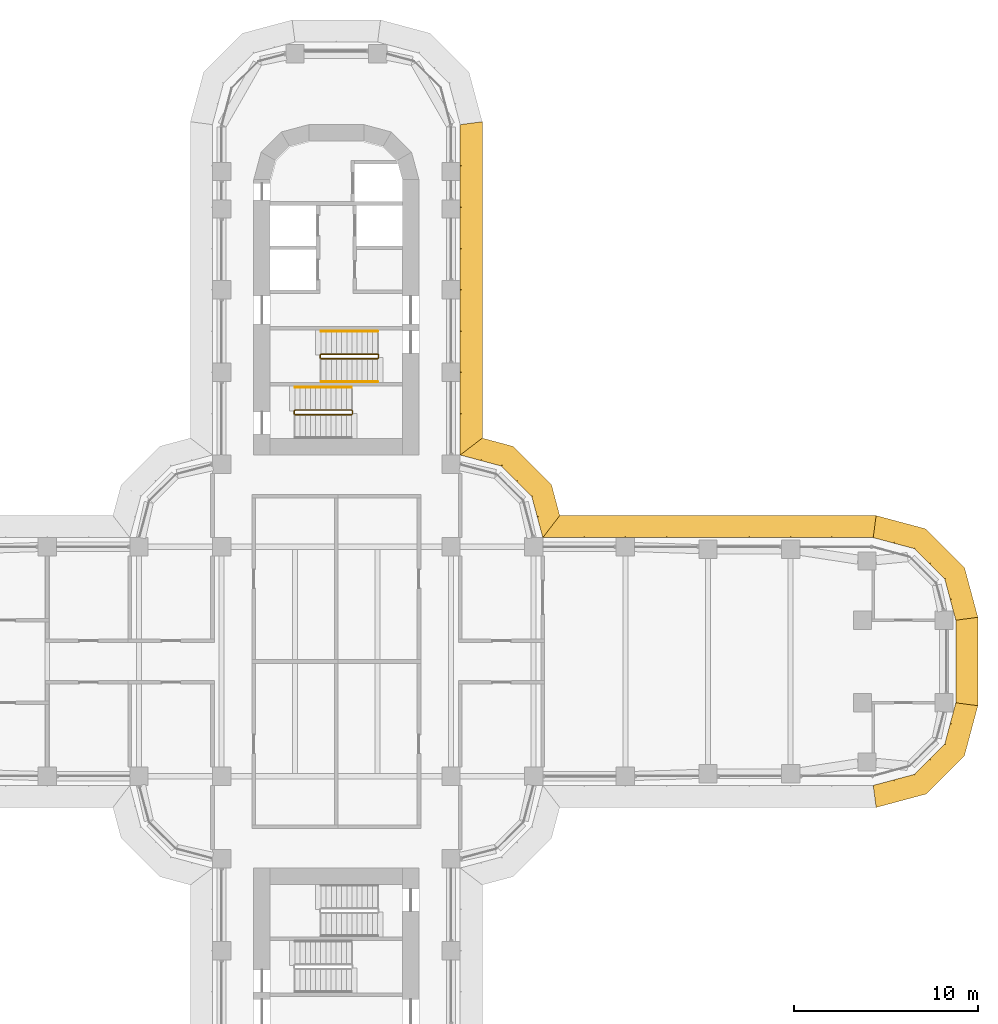
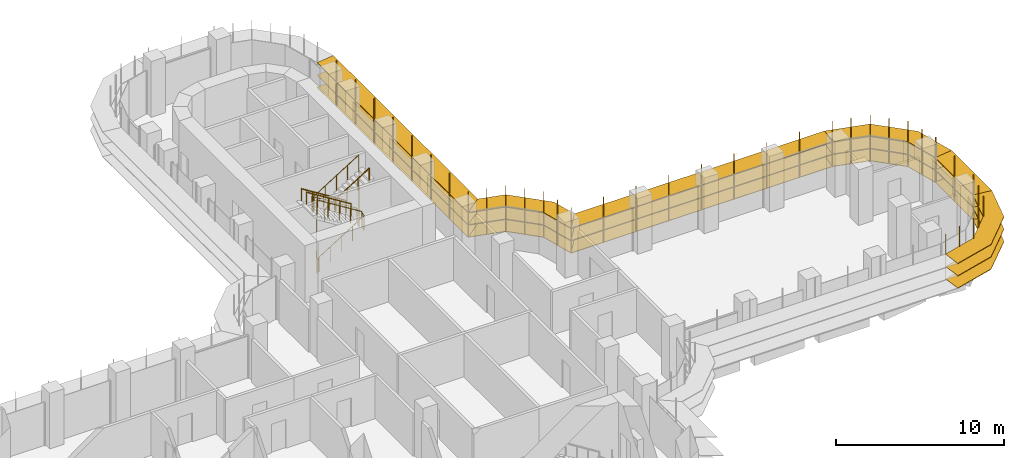
# One storey, part 22 of 23: 6 shading devices, 5 railings.
"""IFC4 building model written with IfcOpenShell, lengths in metres."""

from ifc_helpers import new_model, si_unit, direction, frame, origin, origin_2d, place, context, subcontext, project, spatial, polyline, circle, outline, extrude, faceted_brep, source, transform, mapped, material, type_object, element, save


model = new_model("IFC4")

# Units and contexts
model_context = context("Model", 3, precision=1e-05, world=origin(), true_north=direction((0.0, 1.0)))
body_context = subcontext(model_context, "Body", "Model", "MODEL_VIEW")
ifc_project = project(units=[si_unit("LENGTHUNIT", "METRE"), si_unit("AREAUNIT", "SQUARE_METRE"), si_unit("VOLUMEUNIT", "CUBIC_METRE"), si_unit("PLANEANGLEUNIT", "RADIAN"), si_unit("MASSUNIT", "GRAM", prefix="KILO")], contexts=[model_context])

# Site, building, storey
site_placement = place(None, origin())
site = spatial("IfcSite", under=ifc_project, at=site_placement, CompositionType="ELEMENT")
building_placement = place(site_placement, origin())
building = spatial("IfcBuilding", under=site, at=building_placement, Name="Zarbagh Exchange Tower", CompositionType="ELEMENT")
storey_placement = place(building_placement, frame((0.0, 0.0, 56.39990234375)))
storey = spatial("IfcBuildingStorey", under=building, at=storey_placement, Name="L12", CompositionType="ELEMENT", Elevation=56.39990234375)

# Railings
ifc_material_1 = material(Name="Stainless steel", Category="steel")
railing_type_1 = type_object("IfcRailingType", Name="Stair guard 1100 mm", PredefinedType="GUARDRAIL", material=ifc_material_1)
railing_1_placement = place(storey_placement, frame((-0.830078125, 16.5, 2.275146484375)))
element("IfcRailing", 1, at=railing_1_placement, inside=storey, type_object=railing_type_1, Name="ST1 stair guard 1", PredefinedType="GUARDRAIL", context=body_context, shape_type="SweptSolid", body=[
    extrude(circle(Radius=0.02392578125, at=origin_2d()), frame((0.0, 0.0, 1.076171875), z_axis=(0.847998304005, 0.0, 0.529998940003), x_axis=(0.0, 1.0, 0.0)), (0.0, 0.0, 1.0), 3.632080078125),
    extrude(circle(Radius=0.02392578125, at=origin_2d()), frame((3.080078125, 0.0, 3.0009765625), z_axis=(0.011914141993, 0.011914141993, -0.999858043145), x_axis=(-0.707106781187, 0.707106781187, 0.0)), (0.0, 0.0, 1.0), 4.20068359375),
    extrude(circle(Radius=0.02392578125, at=origin_2d()), frame((3.130126953125, 0.050048828125, -1.19921875), z_axis=(0.0, 1.0, 0.0), x_axis=(-1.0, 0.0, 0.0)), (0.0, 0.0, 1.0), 0.14990234375),
    extrude(circle(Radius=0.02392578125, at=origin_2d()), frame((3.130126953125, 0.199951171875, -1.19921875), z_axis=(-0.265065253269, 0.265065253269, 0.927081885822), x_axis=(-0.707106781187, -0.707106781187, 0.0)), (0.0, 0.0, 1.0), 0.188720703125),
    extrude(circle(Radius=0.02392578125, at=origin_2d()), frame((3.080078125, 0.25, -1.02392578125), z_axis=(-0.847998304005, 0.0, 0.529998940003), x_axis=(0.0, -1.0, 0.0)), (0.0, 0.0, 1.0), 3.632080078125),
    extrude(circle(Radius=0.02392578125, at=origin_2d()), frame((0.0, 0.25, 0.90087890625), z_axis=(-0.705375805398, -0.708833529934, 0.0), x_axis=(0.708833529934, -0.705375805398, 0.0)), (0.0, 0.0, 1.0), 0.070556640625),
    extrude(circle(Radius=0.02392578125, at=origin_2d()), frame((-0.0498046875, 0.199951171875, 0.90087890625), z_axis=(0.0, -1.0, 0.0), x_axis=(1.0, 0.0, 0.0)), (0.0, 0.0, 1.0), 0.14990234375),
    extrude(circle(Radius=0.02099609375, at=origin_2d()), origin(), (0.0, 0.0, 1.0), 1.052001953125),
    extrude(circle(Radius=0.02099609375, at=origin_2d()), frame((0.77001953125, 0.0, 0.481201171875)), (0.0, 0.0, 1.0), 1.052001953125),
    extrude(circle(Radius=0.02099609375, at=origin_2d()), frame((1.5400390625, 0.0, 0.96240234375)), (0.0, 0.0, 1.0), 1.052001953125),
    extrude(circle(Radius=0.02099609375, at=origin_2d()), frame((2.31005859375, 0.0, 1.44384765625)), (0.0, 0.0, 1.0), 1.052001953125),
    extrude(circle(Radius=0.02099609375, at=origin_2d()), frame((3.080078125, 0.0, 1.925048828125)), (0.0, 0.0, 1.0), 1.052001953125),
    extrude(circle(Radius=0.02099609375, at=origin_2d()), frame((3.092529296875, 0.012451171875, 0.875)), (0.0, 0.0, 1.0), 1.052001953125),
    extrude(circle(Radius=0.02099609375, at=origin_2d()), frame((3.10498046875, 0.02490234375, -0.175048828125)), (0.0, 0.0, 1.0), 1.052001953125),
    extrude(circle(Radius=0.02099609375, at=origin_2d()), frame((3.11767578125, 0.03759765625, -1.22509765625)), (0.0, 0.0, 1.0), 1.052001953125),
    extrude(circle(Radius=0.02099609375, at=origin_2d()), frame((3.130126953125, 0.050048828125, -2.275146484375)), (0.0, 0.0, 1.0), 1.052001953125),
    extrude(circle(Radius=0.02099609375, at=origin_2d()), frame((3.130126953125, 0.199951171875, -2.275146484375)), (0.0, 0.0, 1.0), 1.052001953125),
    extrude(circle(Radius=0.02099609375, at=origin_2d()), frame((3.080078125, 0.25, -2.10009765625)), (0.0, 0.0, 1.0), 1.052001953125),
    extrude(circle(Radius=0.02099609375, at=origin_2d()), frame((2.31005859375, 0.25, -1.618896484375)), (0.0, 0.0, 1.0), 1.052001953125),
    extrude(circle(Radius=0.02099609375, at=origin_2d()), frame((1.5400390625, 0.25, -1.1376953125)), (0.0, 0.0, 1.0), 1.052001953125),
    extrude(circle(Radius=0.02099609375, at=origin_2d()), frame((0.77001953125, 0.25, -0.65625)), (0.0, 0.0, 1.0), 1.052001953125),
    extrude(circle(Radius=0.02099609375, at=origin_2d()), frame((0.0, 0.25, -0.175048828125)), (0.0, 0.0, 1.0), 1.052001953125),
    extrude(circle(Radius=0.02099609375, at=origin_2d()), frame((-0.0498046875, 0.199951171875, -0.175048828125)), (0.0, 0.0, 1.0), 1.052001953125),
    extrude(circle(Radius=0.02099609375, at=origin_2d()), frame((-0.0498046875, 0.050048828125, -0.175048828125)), (0.0, 0.0, 1.0), 1.052001953125),
])
railing_2_placement = place(storey_placement, frame((0.8798828125, 13.5, 2.10009765625)))
element("IfcRailing", 2, at=railing_2_placement, inside=storey, type_object=railing_type_1, Name="ST2 stair guard 1", PredefinedType="GUARDRAIL", context=body_context, shape_type="SweptSolid", body=[
    extrude(circle(Radius=0.02392578125, at=origin_2d()), frame((0.0, 0.0, 1.076171875), z_axis=(0.0, 1.0, 0.0), x_axis=(-1.0, 0.0, 0.0)), (0.0, 0.0, 1.0), 0.14990234375),
    extrude(circle(Radius=0.02392578125, at=origin_2d()), frame((0.0, 0.14990234375, 1.076171875), z_axis=(-0.263862480399, 0.265155923931, 0.927399011991), x_axis=(-0.708833529934, -0.705375805398, 0.0)), (0.0, 0.0, 1.0), 0.188720703125),
    extrude(circle(Radius=0.02392578125, at=origin_2d()), frame((-0.0498046875, 0.199951171875, 1.2509765625), z_axis=(-0.847998304005, 0.0, 0.529998940003), x_axis=(0.0, -1.0, 0.0)), (0.0, 0.0, 1.0), 3.632080078125),
    extrude(circle(Radius=0.02392578125, at=origin_2d()), frame((-3.1298828125, 0.199951171875, 3.17626953125), z_axis=(-0.011914141993, -0.011914141993, -0.999858043145), x_axis=(0.707106781187, -0.707106781187, 0.0)), (0.0, 0.0, 1.0), 4.20068359375),
    extrude(circle(Radius=0.02392578125, at=origin_2d()), frame((-3.179931640625, 0.14990234375, -1.02392578125), z_axis=(0.0, -1.0, 0.0), x_axis=(1.0, 0.0, 0.0)), (0.0, 0.0, 1.0), 0.14990234375),
    extrude(circle(Radius=0.02392578125, at=origin_2d()), frame((-3.179931640625, 0.0, -1.02392578125), z_axis=(0.265065253269, -0.265065253269, 0.927081885822), x_axis=(0.707106781187, 0.707106781187, 0.0)), (0.0, 0.0, 1.0), 0.188720703125),
    extrude(circle(Radius=0.02392578125, at=origin_2d()), frame((-3.1298828125, -0.050048828125, -0.84912109375), z_axis=(0.847998304005, 0.0, 0.529998940003), x_axis=(0.0, 1.0, 0.0)), (0.0, 0.0, 1.0), 3.632080078125),
    extrude(circle(Radius=0.02099609375, at=origin_2d()), origin(), (0.0, 0.0, 1.0), 1.052001953125),
    extrude(circle(Radius=0.02099609375, at=origin_2d()), frame((0.0, 0.14990234375, 0.0)), (0.0, 0.0, 1.0), 1.052001953125),
    extrude(circle(Radius=0.02099609375, at=origin_2d()), frame((-0.0498046875, 0.199951171875, 0.175048828125)), (0.0, 0.0, 1.0), 1.052001953125),
    extrude(circle(Radius=0.02099609375, at=origin_2d()), frame((-0.81982421875, 0.199951171875, 0.65625)), (0.0, 0.0, 1.0), 1.052001953125),
    extrude(circle(Radius=0.02099609375, at=origin_2d()), frame((-1.58984375, 0.199951171875, 1.1376953125)), (0.0, 0.0, 1.0), 1.052001953125),
    extrude(circle(Radius=0.02099609375, at=origin_2d()), frame((-2.35986328125, 0.199951171875, 1.618896484375)), (0.0, 0.0, 1.0), 1.052001953125),
    extrude(circle(Radius=0.02099609375, at=origin_2d()), frame((-3.1298828125, 0.199951171875, 2.10009765625)), (0.0, 0.0, 1.0), 1.052001953125),
    extrude(circle(Radius=0.02099609375, at=origin_2d()), frame((-3.142333984375, 0.1875, 1.050048828125)), (0.0, 0.0, 1.0), 1.052001953125),
    extrude(circle(Radius=0.02099609375, at=origin_2d()), frame((-3.15478515625, 0.1748046875, 0.0)), (0.0, 0.0, 1.0), 1.052001953125),
    extrude(circle(Radius=0.02099609375, at=origin_2d()), frame((-3.16748046875, 0.162353515625, -1.050048828125)), (0.0, 0.0, 1.0), 1.052001953125),
    extrude(circle(Radius=0.02099609375, at=origin_2d()), frame((-3.179931640625, 0.14990234375, -2.10009765625)), (0.0, 0.0, 1.0), 1.052001953125),
    extrude(circle(Radius=0.02099609375, at=origin_2d()), frame((-3.179931640625, 0.0, -2.10009765625)), (0.0, 0.0, 1.0), 1.052001953125),
    extrude(circle(Radius=0.02099609375, at=origin_2d()), frame((-3.1298828125, -0.050048828125, -1.925048828125)), (0.0, 0.0, 1.0), 1.052001953125),
    extrude(circle(Radius=0.02099609375, at=origin_2d()), frame((-2.35986328125, -0.050048828125, -1.44384765625)), (0.0, 0.0, 1.0), 1.052001953125),
    extrude(circle(Radius=0.02099609375, at=origin_2d()), frame((-1.58984375, -0.050048828125, -0.96240234375)), (0.0, 0.0, 1.0), 1.052001953125),
    extrude(circle(Radius=0.02099609375, at=origin_2d()), frame((-0.81982421875, -0.050048828125, -0.481201171875)), (0.0, 0.0, 1.0), 1.052001953125),
    extrude(circle(Radius=0.02099609375, at=origin_2d()), frame((-0.0498046875, -0.050048828125, 0.0)), (0.0, 0.0, 1.0), 1.052001953125),
])
railing_type_2 = type_object("IfcRailingType", Name="Stair handrail 900 mm", PredefinedType="HANDRAIL", material=ifc_material_1)
railing_3_placement = place(storey_placement, frame((2.25, 18.0, 0.175048828125)))
element("IfcRailing", 3, at=railing_3_placement, inside=storey, type_object=railing_type_2, Name="ST1 stair handrail 1", PredefinedType="HANDRAIL", context=body_context, shape_type="SweptSolid", body=[
    extrude(circle(Radius=0.02392578125, at=origin_2d()), frame((0.0, 0.0, 0.8759765625), z_axis=(-0.847998304005, 0.0, 0.529998940003), x_axis=(0.0, -1.0, 0.0)), (0.0, 0.0, 1.0), 3.632080078125),
    extrude(circle(Radius=0.02099609375, at=origin_2d()), origin(), (0.0, 0.0, 1.0), 0.851806640625),
    extrude(circle(Radius=0.02099609375, at=origin_2d()), frame((-0.77001953125, 0.0, 0.481201171875)), (0.0, 0.0, 1.0), 0.851806640625),
    extrude(circle(Radius=0.02099609375, at=origin_2d()), frame((-1.5400390625, 0.0, 0.96240234375)), (0.0, 0.0, 1.0), 0.851806640625),
    extrude(circle(Radius=0.02099609375, at=origin_2d()), frame((-2.31005859375, 0.0, 1.44384765625)), (0.0, 0.0, 1.0), 0.851806640625),
    extrude(circle(Radius=0.02099609375, at=origin_2d()), frame((-3.080078125, 0.0, 1.925048828125)), (0.0, 0.0, 1.0), 0.851806640625),
])
railing_4_placement = place(storey_placement, frame((-0.830078125, 15.25, 2.275146484375)))
element("IfcRailing", 4, at=railing_4_placement, inside=storey, type_object=railing_type_2, Name="ST1 stair handrail 2", PredefinedType="HANDRAIL", context=body_context, shape_type="SweptSolid", body=[
    extrude(circle(Radius=0.02392578125, at=origin_2d()), frame((0.0, 0.0, 0.8759765625), z_axis=(0.847998304005, 0.0, 0.529998940003), x_axis=(0.0, 1.0, 0.0)), (0.0, 0.0, 1.0), 3.632080078125),
    extrude(circle(Radius=0.02099609375, at=origin_2d()), origin(), (0.0, 0.0, 1.0), 0.851806640625),
    extrude(circle(Radius=0.02099609375, at=origin_2d()), frame((0.77001953125, 0.0, 0.481201171875)), (0.0, 0.0, 1.0), 0.851806640625),
    extrude(circle(Radius=0.02099609375, at=origin_2d()), frame((1.5400390625, 0.0, 0.96240234375)), (0.0, 0.0, 1.0), 0.851806640625),
    extrude(circle(Radius=0.02099609375, at=origin_2d()), frame((2.31005859375, 0.0, 1.44384765625)), (0.0, 0.0, 1.0), 0.851806640625),
    extrude(circle(Radius=0.02099609375, at=origin_2d()), frame((3.080078125, 0.0, 1.925048828125)), (0.0, 0.0, 1.0), 0.851806640625),
])
railing_5_placement = place(storey_placement, frame((0.830078125, 14.949951171875, 2.275146484375)))
element("IfcRailing", 5, at=railing_5_placement, inside=storey, type_object=railing_type_2, Name="ST2 stair handrail 2", PredefinedType="HANDRAIL", context=body_context, shape_type="SweptSolid", body=[
    extrude(circle(Radius=0.02392578125, at=origin_2d()), frame((0.0, 0.0, 0.8759765625), z_axis=(-0.847998304005, 0.0, 0.529998940003), x_axis=(0.0, -1.0, 0.0)), (0.0, 0.0, 1.0), 3.632080078125),
    extrude(circle(Radius=0.02099609375, at=origin_2d()), origin(), (0.0, 0.0, 1.0), 0.851806640625),
    extrude(circle(Radius=0.02099609375, at=origin_2d()), frame((-0.77001953125, 0.0, 0.481201171875)), (0.0, 0.0, 1.0), 0.851806640625),
    extrude(circle(Radius=0.02099609375, at=origin_2d()), frame((-1.5400390625, 0.0, 0.96240234375)), (0.0, 0.0, 1.0), 0.851806640625),
    extrude(circle(Radius=0.02099609375, at=origin_2d()), frame((-2.31005859375, 0.0, 1.44384765625)), (0.0, 0.0, 1.0), 0.851806640625),
    extrude(circle(Radius=0.02099609375, at=origin_2d()), frame((-3.080078125, 0.0, 1.925048828125)), (0.0, 0.0, 1.0), 0.851806640625),
])

# Shading devices
ifc_material_2 = material(Name="Anodised aluminium blades and brackets", Category="aluminium")
shading_device_type = type_object("IfcShadingDeviceType", Name="SUNSHADE louvre band, 0 degree blades", PredefinedType="JALOUSIE", material=ifc_material_2)
shared_shape_1 = source(origin(), body_context, "Body", "Brep", [
    faceted_brep([(0.0, 0.0, 0.0), (0.0, 0.0, -0.0400390625), (-0.157958984375, -1.199951171875, -0.0400390625), (-0.157958984375, -1.199951171875, 0.0), (2.65087890625, -1.199951171875, 0.0), (2.65087890625, -1.199951171875, -0.0400390625), (2.329345703125, 0.0, -0.0400390625), (2.329345703125, 0.0, 0.0)], [[[0, 1, 2, 3]], [[4, 5, 6, 7]], [[0, 7, 6, 1]], [[1, 6, 5, 2]], [[2, 5, 4, 3]], [[3, 4, 7, 0]]]),
])
shared_shape_2 = source(origin(), body_context, "Body", "Brep", [
    faceted_brep([(0.0, 0.0, 0.0), (0.0, 0.0, -0.0400390625), (-0.321533203125, -1.199951171875, -0.0400390625), (-0.321533203125, -1.199951171875, 0.0), (2.65087890625, -1.199951171875, 0.0), (2.65087890625, -1.199951171875, -0.0400390625), (2.329345703125, 0.0, -0.0400390625), (2.329345703125, 0.0, 0.0)], [[[0, 1, 2, 3]], [[4, 5, 6, 7]], [[0, 7, 6, 1]], [[1, 6, 5, 2]], [[2, 5, 4, 3]], [[3, 4, 7, 0]]]),
])
shared_shape_3 = source(origin(), body_context, "Body", "Brep", [
    faceted_brep([(0.0, 0.0, 0.0), (0.0, 0.0, -0.0400390625), (-0.321533203125, -1.199951171875, -0.0400390625), (-0.321533203125, -1.199951171875, 0.0), (2.4873046875, -1.199951171875, 0.0), (2.4873046875, -1.199951171875, -0.0400390625), (2.329345703125, 0.0, -0.0400390625), (2.329345703125, 0.0, 0.0)], [[[0, 1, 2, 3]], [[4, 5, 6, 7]], [[0, 7, 6, 1]], [[1, 6, 5, 2]], [[2, 5, 4, 3]], [[3, 4, 7, 0]]]),
])
shared_shape_4 = source(origin(), body_context, "Body", "SweptSolid", [
    extrude(outline(polyline([(0.0, -0.012451171875), (0.06005859375, -0.012451171875), (0.06005859375, 0.012451171875), (0.0, 0.012451171875), (0.0, -0.012451171875)])), origin(), (0.0, 0.0, 1.0), 3.35009765625),
])
placement = place(storey_placement, origin())
element("IfcShadingDevice", 6, at=placement, inside=storey, type_object=shading_device_type, Name="SS05 sunshade band", PredefinedType="JALOUSIE", context=body_context, shape_type="MappedRepresentation", body=[
    mapped(shared_shape_1, transform((29.25, -6.75, 2.7001953125), x_axis=(0.965924289636, 0.258824779902, 0.0), y_axis=(-0.258824779902, 0.965924289636, 0.0), z_axis=(0.0, 0.0, 1.0))),
    mapped(shared_shape_1, transform((29.25, -6.75, 1.800048828125), x_axis=(0.965924289636, 0.258824779902, 0.0), y_axis=(-0.258824779902, 0.965924289636, 0.0), z_axis=(0.0, 0.0, 1.0))),
    mapped(shared_shape_1, transform((29.25, -6.75, 0.900146484375), x_axis=(0.965924289636, 0.258824779902, 0.0), y_axis=(-0.258824779902, 0.965924289636, 0.0), z_axis=(0.0, 0.0, 1.0))),
    mapped(shared_shape_2, transform((31.5, -6.147216796875, 2.7001953125), x_axis=(0.707106781187, 0.707106781187, 0.0), y_axis=(-0.707106781187, 0.707106781187, 0.0), z_axis=(0.0, 0.0, 1.0))),
    mapped(shared_shape_2, transform((31.5, -6.147216796875, 1.800048828125), x_axis=(0.707106781187, 0.707106781187, 0.0), y_axis=(-0.707106781187, 0.707106781187, 0.0), z_axis=(0.0, 0.0, 1.0))),
    mapped(shared_shape_2, transform((31.5, -6.147216796875, 0.900146484375), x_axis=(0.707106781187, 0.707106781187, 0.0), y_axis=(-0.707106781187, 0.707106781187, 0.0), z_axis=(0.0, 0.0, 1.0))),
    mapped(shared_shape_3, transform((33.147216796875, -4.5, 2.7001953125), x_axis=(0.258824779902, 0.965924289636, 0.0), y_axis=(-0.965924289636, 0.258824779902, 0.0), z_axis=(0.0, 0.0, 1.0))),
    mapped(shared_shape_3, transform((33.147216796875, -4.5, 1.800048828125), x_axis=(0.258824779902, 0.965924289636, 0.0), y_axis=(-0.965924289636, 0.258824779902, 0.0), z_axis=(0.0, 0.0, 1.0))),
    mapped(shared_shape_3, transform((33.147216796875, -4.5, 0.900146484375), x_axis=(0.258824779902, 0.965924289636, 0.0), y_axis=(-0.965924289636, 0.258824779902, 0.0), z_axis=(0.0, 0.0, 1.0))),
    mapped(shared_shape_4, transform((29.25, -6.75, 0.830078125), x_axis=(0.130529263012, -0.991444457092, 0.0), y_axis=(0.991444457092, 0.130529263012, 0.0), z_axis=(0.0, 0.0, 1.0))),
    mapped(shared_shape_4, transform((30.375, -6.448486328125, 0.830078125), x_axis=(0.258825058029, -0.96592421511, 0.0), y_axis=(0.96592421511, 0.258825058029, 0.0), z_axis=(0.0, 0.0, 1.0))),
    mapped(shared_shape_4, transform((31.5, -6.147216796875, 0.830078125), x_axis=(0.50000275701, -0.866023812018, 0.0), y_axis=(0.866023812018, 0.50000275701, 0.0), z_axis=(0.0, 0.0, 1.0))),
    mapped(shared_shape_4, transform((32.323486328125, -5.323486328125, 0.830078125), x_axis=(0.707106781187, -0.707106781187, 0.0), y_axis=(0.707106781187, 0.707106781187, 0.0), z_axis=(0.0, 0.0, 1.0))),
    mapped(shared_shape_4, transform((33.147216796875, -4.5, 0.830078125), x_axis=(0.866023812018, -0.50000275701, 0.0), y_axis=(0.50000275701, 0.866023812018, 0.0), z_axis=(0.0, 0.0, 1.0))),
    mapped(shared_shape_4, transform((33.448486328125, -3.375, 0.830078125), x_axis=(0.96592421511, -0.258825058029, 0.0), y_axis=(0.258825058029, 0.96592421511, 0.0), z_axis=(0.0, 0.0, 1.0))),
])
element("IfcShadingDevice", 7, at=placement, inside=storey, type_object=shading_device_type, Name="SS07 sunshade band", PredefinedType="JALOUSIE", context=body_context, shape_type="MappedRepresentation", body=[
    mapped(shared_shape_1, transform((33.75, 2.25, 2.7001953125), x_axis=(-0.258824779902, 0.965924289636, 0.0), y_axis=(-0.965924289636, -0.258824779902, 0.0), z_axis=(0.0, 0.0, 1.0))),
    mapped(shared_shape_1, transform((33.75, 2.25, 1.800048828125), x_axis=(-0.258824779902, 0.965924289636, 0.0), y_axis=(-0.965924289636, -0.258824779902, 0.0), z_axis=(0.0, 0.0, 1.0))),
    mapped(shared_shape_1, transform((33.75, 2.25, 0.900146484375), x_axis=(-0.258824779902, 0.965924289636, 0.0), y_axis=(-0.965924289636, -0.258824779902, 0.0), z_axis=(0.0, 0.0, 1.0))),
    mapped(shared_shape_2, transform((33.147216796875, 4.5, 2.7001953125), x_axis=(-0.707106781187, 0.707106781187, 0.0), y_axis=(-0.707106781187, -0.707106781187, 0.0), z_axis=(0.0, 0.0, 1.0))),
    mapped(shared_shape_2, transform((33.147216796875, 4.5, 1.800048828125), x_axis=(-0.707106781187, 0.707106781187, 0.0), y_axis=(-0.707106781187, -0.707106781187, 0.0), z_axis=(0.0, 0.0, 1.0))),
    mapped(shared_shape_2, transform((33.147216796875, 4.5, 0.900146484375), x_axis=(-0.707106781187, 0.707106781187, 0.0), y_axis=(-0.707106781187, -0.707106781187, 0.0), z_axis=(0.0, 0.0, 1.0))),
    mapped(shared_shape_3, transform((31.5, 6.147216796875, 2.7001953125), x_axis=(-0.965924289636, 0.258824779902, 0.0), y_axis=(-0.258824779902, -0.965924289636, 0.0), z_axis=(0.0, 0.0, 1.0))),
    mapped(shared_shape_3, transform((31.5, 6.147216796875, 1.800048828125), x_axis=(-0.965924289636, 0.258824779902, 0.0), y_axis=(-0.258824779902, -0.965924289636, 0.0), z_axis=(0.0, 0.0, 1.0))),
    mapped(shared_shape_3, transform((31.5, 6.147216796875, 0.900146484375), x_axis=(-0.965924289636, 0.258824779902, 0.0), y_axis=(-0.258824779902, -0.965924289636, 0.0), z_axis=(0.0, 0.0, 1.0))),
    mapped(shared_shape_4, transform((33.75, 2.25, 0.830078125), x_axis=(0.991444457092, 0.130529263012, 0.0), y_axis=(-0.130529263012, 0.991444457092, 0.0), z_axis=(0.0, 0.0, 1.0))),
    mapped(shared_shape_4, transform((33.448486328125, 3.375, 0.830078125), x_axis=(0.96592421511, 0.258825058029, 0.0), y_axis=(-0.258825058029, 0.96592421511, 0.0), z_axis=(0.0, 0.0, 1.0))),
    mapped(shared_shape_4, transform((33.147216796875, 4.5, 0.830078125), x_axis=(0.866023812018, 0.50000275701, 0.0), y_axis=(-0.50000275701, 0.866023812018, 0.0), z_axis=(0.0, 0.0, 1.0))),
    mapped(shared_shape_4, transform((32.323486328125, 5.323486328125, 0.830078125), x_axis=(0.707106781187, 0.707106781187, 0.0), y_axis=(-0.707106781187, 0.707106781187, 0.0), z_axis=(0.0, 0.0, 1.0))),
    mapped(shared_shape_4, transform((31.5, 6.147216796875, 0.830078125), x_axis=(0.50000275701, 0.866023812018, 0.0), y_axis=(-0.866023812018, 0.50000275701, 0.0), z_axis=(0.0, 0.0, 1.0))),
    mapped(shared_shape_4, transform((30.375, 6.448486328125, 0.830078125), x_axis=(0.258825058029, 0.96592421511, 0.0), y_axis=(-0.96592421511, 0.258825058029, 0.0), z_axis=(0.0, 0.0, 1.0))),
])
shared_shape_5 = source(origin(), body_context, "Body", "Brep", [
    faceted_brep([(0.0, 0.0, 0.0), (0.0, 0.0, -0.0400390625), (0.9208984375, -1.199951171875, -0.0400390625), (0.9208984375, -1.199951171875, 0.0), (2.65087890625, -1.199951171875, 0.0), (2.65087890625, -1.199951171875, -0.0400390625), (2.329345703125, 0.0, -0.0400390625), (2.329345703125, 0.0, 0.0)], [[[0, 1, 2, 3]], [[4, 5, 6, 7]], [[0, 7, 6, 1]], [[1, 6, 5, 2]], [[2, 5, 4, 3]], [[3, 4, 7, 0]]]),
])
shared_shape_6 = source(origin(), body_context, "Body", "Brep", [
    faceted_brep([(0.0, 0.0, 0.0), (0.0, 0.0, -0.0400390625), (-0.321533203125, -1.199951171875, -0.0400390625), (-0.321533203125, -1.199951171875, 0.0), (1.40869140625, -1.199951171875, 0.0), (1.40869140625, -1.199951171875, -0.0400390625), (2.329345703125, 0.0, -0.0400390625), (2.329345703125, 0.0, 0.0)], [[[0, 1, 2, 3]], [[4, 5, 6, 7]], [[0, 7, 6, 1]], [[1, 6, 5, 2]], [[2, 5, 4, 3]], [[3, 4, 7, 0]]]),
])
element("IfcShadingDevice", 8, at=placement, inside=storey, type_object=shading_device_type, Name="SS09 sunshade band", PredefinedType="JALOUSIE", context=body_context, shape_type="MappedRepresentation", body=[
    mapped(shared_shape_5, transform((11.25, 6.75, 2.7001953125), x_axis=(-0.258824779902, 0.965924289636, 0.0), y_axis=(-0.965924289636, -0.258824779902, 0.0), z_axis=(0.0, 0.0, 1.0))),
    mapped(shared_shape_5, transform((11.25, 6.75, 1.800048828125), x_axis=(-0.258824779902, 0.965924289636, 0.0), y_axis=(-0.965924289636, -0.258824779902, 0.0), z_axis=(0.0, 0.0, 1.0))),
    mapped(shared_shape_5, transform((11.25, 6.75, 0.900146484375), x_axis=(-0.258824779902, 0.965924289636, 0.0), y_axis=(-0.965924289636, -0.258824779902, 0.0), z_axis=(0.0, 0.0, 1.0))),
    mapped(shared_shape_2, transform((10.647216796875, 9.0, 2.7001953125), x_axis=(-0.707106781187, 0.707106781187, 0.0), y_axis=(-0.707106781187, -0.707106781187, 0.0), z_axis=(0.0, 0.0, 1.0))),
    mapped(shared_shape_2, transform((10.647216796875, 9.0, 1.800048828125), x_axis=(-0.707106781187, 0.707106781187, 0.0), y_axis=(-0.707106781187, -0.707106781187, 0.0), z_axis=(0.0, 0.0, 1.0))),
    mapped(shared_shape_2, transform((10.647216796875, 9.0, 0.900146484375), x_axis=(-0.707106781187, 0.707106781187, 0.0), y_axis=(-0.707106781187, -0.707106781187, 0.0), z_axis=(0.0, 0.0, 1.0))),
    mapped(shared_shape_6, transform((9.0, 10.647216796875, 2.7001953125), x_axis=(-0.965924289636, 0.258824779902, 0.0), y_axis=(-0.258824779902, -0.965924289636, 0.0), z_axis=(0.0, 0.0, 1.0))),
    mapped(shared_shape_6, transform((9.0, 10.647216796875, 1.800048828125), x_axis=(-0.965924289636, 0.258824779902, 0.0), y_axis=(-0.258824779902, -0.965924289636, 0.0), z_axis=(0.0, 0.0, 1.0))),
    mapped(shared_shape_6, transform((9.0, 10.647216796875, 0.900146484375), x_axis=(-0.965924289636, 0.258824779902, 0.0), y_axis=(-0.258824779902, -0.965924289636, 0.0), z_axis=(0.0, 0.0, 1.0))),
    mapped(shared_shape_4, transform((11.25, 6.75, 0.830078125), x_axis=(0.608758892, 0.793355287, 0.0), y_axis=(-0.793355287, 0.608758892, 0.0), z_axis=(0.0, 0.0, 1.0))),
    mapped(shared_shape_4, transform((10.948486328125, 7.875, 0.830078125), x_axis=(0.96592421511, 0.258825058029, 0.0), y_axis=(-0.258825058029, 0.96592421511, 0.0), z_axis=(0.0, 0.0, 1.0))),
    mapped(shared_shape_4, transform((10.647216796875, 9.0, 0.830078125), x_axis=(0.866023812018, 0.50000275701, 0.0), y_axis=(-0.50000275701, 0.866023812018, 0.0), z_axis=(0.0, 0.0, 1.0))),
    mapped(shared_shape_4, transform((9.823486328125, 9.823486328125, 0.830078125), x_axis=(0.707106781187, 0.707106781187, 0.0), y_axis=(-0.707106781187, 0.707106781187, 0.0), z_axis=(0.0, 0.0, 1.0))),
    mapped(shared_shape_4, transform((9.0, 10.647216796875, 0.830078125), x_axis=(0.50000275701, 0.866023812018, 0.0), y_axis=(-0.866023812018, 0.50000275701, 0.0), z_axis=(0.0, 0.0, 1.0))),
    mapped(shared_shape_4, transform((7.875, 10.948486328125, 0.830078125), x_axis=(0.258825058029, 0.96592421511, 0.0), y_axis=(-0.96592421511, 0.258825058029, 0.0), z_axis=(0.0, 0.0, 1.0))),
])
shared_shape_7 = source(origin(), body_context, "Body", "Brep", [
    faceted_brep([(0.0, 0.0, 0.0), (0.0, 0.0, -0.0400390625), (-0.157958984375, -1.199951171875, -0.0400390625), (-0.157958984375, -1.199951171875, 0.0), (4.657958984375, -1.199951171875, 0.0), (4.657958984375, -1.199951171875, -0.0400390625), (4.5, 0.0, -0.0400390625), (4.5, 0.0, 0.0)], [[[0, 1, 2, 3]], [[4, 5, 6, 7]], [[0, 7, 6, 1]], [[1, 6, 5, 2]], [[2, 5, 4, 3]], [[3, 4, 7, 0]]]),
])
element("IfcShadingDevice", 9, at=placement, inside=storey, type_object=shading_device_type, Name="SS06 sunshade band", PredefinedType="JALOUSIE", context=body_context, shape_type="MappedRepresentation", body=[
    mapped(shared_shape_7, transform((33.75, -2.25, 2.7001953125), x_axis=(0.0, 1.0, 0.0), y_axis=(-1.0, 0.0, 0.0), z_axis=(0.0, 0.0, 1.0))),
    mapped(shared_shape_7, transform((33.75, -2.25, 1.800048828125), x_axis=(0.0, 1.0, 0.0), y_axis=(-1.0, 0.0, 0.0), z_axis=(0.0, 0.0, 1.0))),
    mapped(shared_shape_7, transform((33.75, -2.25, 0.900146484375), x_axis=(0.0, 1.0, 0.0), y_axis=(-1.0, 0.0, 0.0), z_axis=(0.0, 0.0, 1.0))),
    mapped(shared_shape_4, transform((33.75, -2.25, 0.830078125), x_axis=(0.991444457092, -0.130529263012, 0.0), y_axis=(0.130529263012, 0.991444457092, 0.0), z_axis=(0.0, 0.0, 1.0))),
    mapped(shared_shape_4, transform((33.75, 0.0, 0.830078125), x_axis=(1.0, 0.0, 0.0), y_axis=(0.0, 1.0, 0.0), z_axis=(0.0, 0.0, 1.0))),
])
shared_shape_8 = source(origin(), body_context, "Body", "Brep", [
    faceted_brep([(0.0, 0.0, 0.0), (0.0, 0.0, -0.0400390625), (-0.157958984375, -1.199951171875, -0.0400390625), (-0.157958984375, -1.199951171875, 0.0), (17.0791015625, -1.199951171875, 0.0), (17.0791015625, -1.199951171875, -0.0400390625), (18.0, 0.0, -0.0400390625), (18.0, 0.0, 0.0)], [[[0, 1, 2, 3]], [[4, 5, 6, 7]], [[0, 7, 6, 1]], [[1, 6, 5, 2]], [[2, 5, 4, 3]], [[3, 4, 7, 0]]]),
])
element("IfcShadingDevice", 10, at=placement, inside=storey, type_object=shading_device_type, Name="SS08 sunshade band", PredefinedType="JALOUSIE", context=body_context, shape_type="MappedRepresentation", body=[
    mapped(shared_shape_8, transform((29.25, 6.75, 2.7001953125), x_axis=(-1.0, 0.0, 0.0), y_axis=(0.0, -1.0, 0.0), z_axis=(0.0, 0.0, 1.0))),
    mapped(shared_shape_8, transform((29.25, 6.75, 1.800048828125), x_axis=(-1.0, 0.0, 0.0), y_axis=(0.0, -1.0, 0.0), z_axis=(0.0, 0.0, 1.0))),
    mapped(shared_shape_8, transform((29.25, 6.75, 0.900146484375), x_axis=(-1.0, 0.0, 0.0), y_axis=(0.0, -1.0, 0.0), z_axis=(0.0, 0.0, 1.0))),
    mapped(shared_shape_4, transform((29.25, 6.75, 0.830078125), x_axis=(0.130529263012, 0.991444457092, 0.0), y_axis=(-0.991444457092, 0.130529263012, 0.0), z_axis=(0.0, 0.0, 1.0))),
    mapped(shared_shape_4, transform((27.0, 6.75, 0.830078125), x_axis=(0.0, 1.0, 0.0), y_axis=(-1.0, 0.0, 0.0), z_axis=(0.0, 0.0, 1.0))),
    mapped(shared_shape_4, transform((24.75, 6.75, 0.830078125), x_axis=(0.0, 1.0, 0.0), y_axis=(-1.0, 0.0, 0.0), z_axis=(0.0, 0.0, 1.0))),
    mapped(shared_shape_4, transform((22.5, 6.75, 0.830078125), x_axis=(0.0, 1.0, 0.0), y_axis=(-1.0, 0.0, 0.0), z_axis=(0.0, 0.0, 1.0))),
    mapped(shared_shape_4, transform((20.25, 6.75, 0.830078125), x_axis=(0.0, 1.0, 0.0), y_axis=(-1.0, 0.0, 0.0), z_axis=(0.0, 0.0, 1.0))),
    mapped(shared_shape_4, transform((18.0, 6.75, 0.830078125), x_axis=(0.0, 1.0, 0.0), y_axis=(-1.0, 0.0, 0.0), z_axis=(0.0, 0.0, 1.0))),
    mapped(shared_shape_4, transform((15.75, 6.75, 0.830078125), x_axis=(0.0, 1.0, 0.0), y_axis=(-1.0, 0.0, 0.0), z_axis=(0.0, 0.0, 1.0))),
    mapped(shared_shape_4, transform((13.5, 6.75, 0.830078125), x_axis=(0.0, 1.0, 0.0), y_axis=(-1.0, 0.0, 0.0), z_axis=(0.0, 0.0, 1.0))),
])
shared_shape_9 = source(origin(), body_context, "Body", "Brep", [
    faceted_brep([(0.0, 0.0, 0.0), (0.0, 0.0, -0.0400390625), (0.9208984375, -1.199951171875, -0.0400390625), (0.9208984375, -1.199951171875, 0.0), (18.157958984375, -1.199951171875, 0.0), (18.157958984375, -1.199951171875, -0.0400390625), (18.0, 0.0, -0.0400390625), (18.0, 0.0, 0.0)], [[[0, 1, 2, 3]], [[4, 5, 6, 7]], [[0, 7, 6, 1]], [[1, 6, 5, 2]], [[2, 5, 4, 3]], [[3, 4, 7, 0]]]),
])
element("IfcShadingDevice", 11, at=placement, inside=storey, type_object=shading_device_type, Name="SS10 sunshade band", PredefinedType="JALOUSIE", context=body_context, shape_type="MappedRepresentation", body=[
    mapped(shared_shape_9, transform((6.75, 11.25, 2.7001953125), x_axis=(0.0, 1.0, 0.0), y_axis=(-1.0, 0.0, 0.0), z_axis=(0.0, 0.0, 1.0))),
    mapped(shared_shape_9, transform((6.75, 11.25, 1.800048828125), x_axis=(0.0, 1.0, 0.0), y_axis=(-1.0, 0.0, 0.0), z_axis=(0.0, 0.0, 1.0))),
    mapped(shared_shape_9, transform((6.75, 11.25, 0.900146484375), x_axis=(0.0, 1.0, 0.0), y_axis=(-1.0, 0.0, 0.0), z_axis=(0.0, 0.0, 1.0))),
    mapped(shared_shape_4, transform((6.75, 11.25, 0.830078125), x_axis=(0.793355287, 0.608758892, 0.0), y_axis=(-0.608758892, 0.793355287, 0.0), z_axis=(0.0, 0.0, 1.0))),
    mapped(shared_shape_4, transform((6.75, 13.5, 0.830078125), x_axis=(1.0, 0.0, 0.0), y_axis=(0.0, 1.0, 0.0), z_axis=(0.0, 0.0, 1.0))),
    mapped(shared_shape_4, transform((6.75, 15.75, 0.830078125), x_axis=(1.0, 0.0, 0.0), y_axis=(0.0, 1.0, 0.0), z_axis=(0.0, 0.0, 1.0))),
    mapped(shared_shape_4, transform((6.75, 18.0, 0.830078125), x_axis=(1.0, 0.0, 0.0), y_axis=(0.0, 1.0, 0.0), z_axis=(0.0, 0.0, 1.0))),
    mapped(shared_shape_4, transform((6.75, 20.25, 0.830078125), x_axis=(1.0, 0.0, 0.0), y_axis=(0.0, 1.0, 0.0), z_axis=(0.0, 0.0, 1.0))),
    mapped(shared_shape_4, transform((6.75, 22.5, 0.830078125), x_axis=(1.0, 0.0, 0.0), y_axis=(0.0, 1.0, 0.0), z_axis=(0.0, 0.0, 1.0))),
    mapped(shared_shape_4, transform((6.75, 24.75, 0.830078125), x_axis=(1.0, 0.0, 0.0), y_axis=(0.0, 1.0, 0.0), z_axis=(0.0, 0.0, 1.0))),
    mapped(shared_shape_4, transform((6.75, 27.0, 0.830078125), x_axis=(1.0, 0.0, 0.0), y_axis=(0.0, 1.0, 0.0), z_axis=(0.0, 0.0, 1.0))),
])

save(model, "model.ifc")
